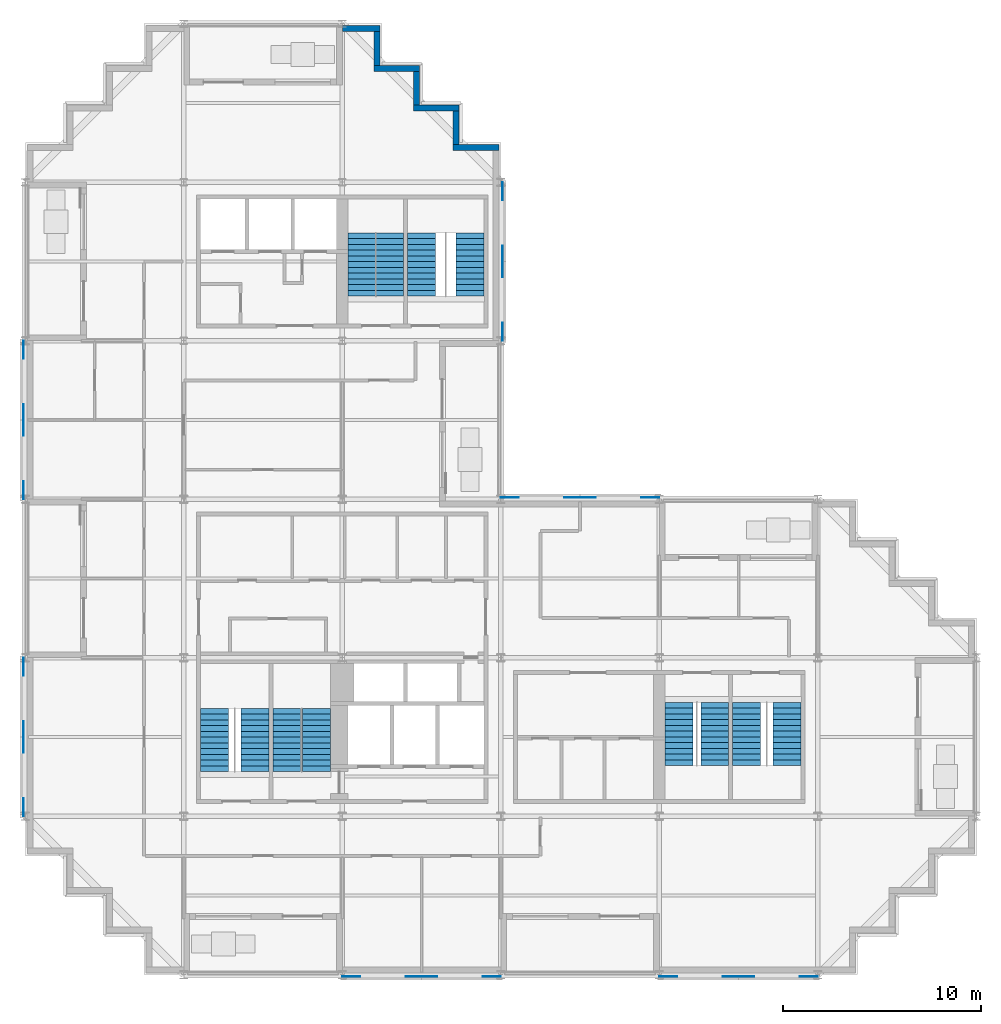
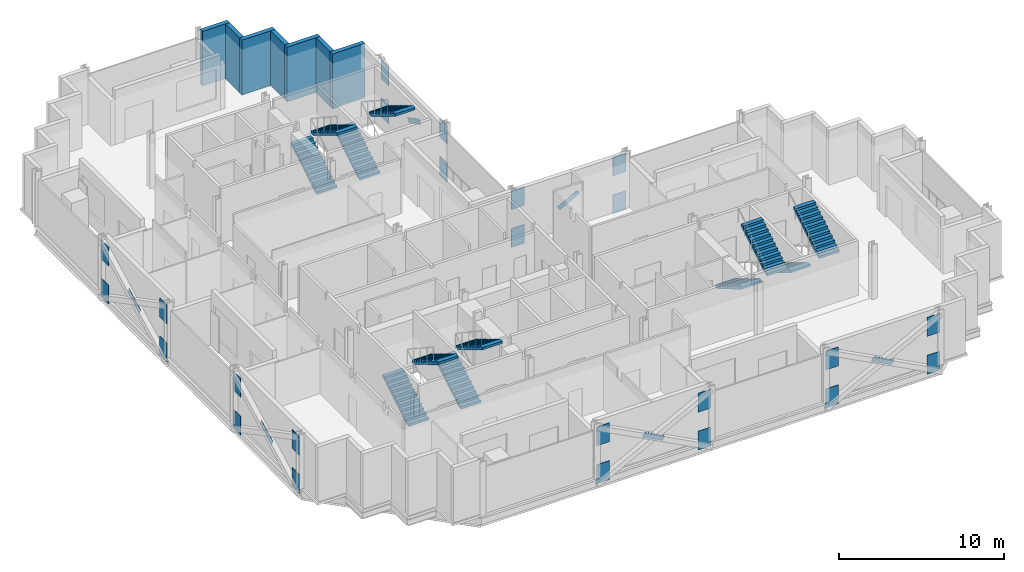
# One storey, part 9 of 12: 30 discrete accessories, 12 stair flights, 7 walls, 6 elements without a shape of their own.
"""IFC4 building model written with IfcOpenShell, lengths in metres."""

from ifc_helpers import new_model, si_unit, direction, frame, frame_2d, origin, origin_2d, place, context, subcontext, project, spatial, polyline, rectangle, outline, extrude, material, layer, layer_set, material_profile, profile_set, type_object, element, aggregate, save


model = new_model("IFC4")

# Units and contexts
model_context = context("Model", 3, precision=1e-05, world=origin(), true_north=direction((0.0, 1.0)))
body_context = subcontext(model_context, "Body", "Model", "MODEL_VIEW")
ifc_project = project(units=[si_unit("LENGTHUNIT", "METRE"), si_unit("AREAUNIT", "SQUARE_METRE"), si_unit("VOLUMEUNIT", "CUBIC_METRE"), si_unit("PLANEANGLEUNIT", "RADIAN"), si_unit("MASSUNIT", "GRAM", prefix="KILO")], contexts=[model_context])

# Site, building, storey
site_placement = place(None, origin())
site = spatial("IfcSite", under=ifc_project, at=site_placement, CompositionType="ELEMENT")
building_placement = place(site_placement, origin())
building = spatial("IfcBuilding", under=site, at=building_placement, Name="Immortelle Media Tower", CompositionType="ELEMENT")
storey_placement = place(building_placement, frame((0.0, 0.0, 153.60009765625)))
storey = spatial("IfcBuildingStorey", under=building, at=storey_placement, Name="L31", CompositionType="ELEMENT", Elevation=153.60009765625)

# Walls
ifc_material_1 = material(Name="Pale aluminium cladding panel", Category="aluminium")
ifc_layer_1 = layer(ifc_material_1, 0.030029296875)
ifc_material_2 = material(Name="Steel ASTM A653 SS Gr 50 stud frame with mineral wool", Category="steel")
ifc_layer_2 = layer(ifc_material_2, 0.257568359375)
ifc_material_3 = material(Name="Moisture-resistant gypsum board", Category="gypsum")
ifc_layer_3 = layer(ifc_material_3, 0.012451171875)
ifc_layer_set = layer_set([ifc_layer_1, ifc_layer_2, ifc_layer_3], Name="Steel ASTM A653 SS Gr 50 stud frame with mineral wool")
wall_type = type_object("IfcWallType", Name="Facade wall 300", PredefinedType="SOLIDWALL", material=ifc_layer_set)
wall_1_placement = place(storey_placement, frame((23.89990234375, 41.75, 0.0), z_axis=(0.0, 0.0, 1.0), x_axis=(-1.0, 0.0, 0.0)))
element("IfcWall", 1, at=wall_1_placement, inside=storey, type_object=wall_type, Name="Facade wall L31 N22", PredefinedType="SOLIDWALL", context=body_context, shape_type="SweptSolid", body=[
    extrude(rectangle(XDim=2.2998046875, YDim=0.300048828125, at=frame_2d((1.14990234375, 0.0))), origin(), (0.0, 0.0, 1.0), 4.0498046875),
])
wall_2_placement = place(storey_placement, frame((21.75, 41.89990234375, 0.0), z_axis=(0.0, 0.0, 1.0), x_axis=(0.0, 1.0, 0.0)))
element("IfcWall", 2, at=wall_2_placement, inside=storey, type_object=wall_type, Name="Facade wall L31 E23", PredefinedType="SOLIDWALL", context=body_context, shape_type="SweptSolid", body=[
    extrude(rectangle(XDim=1.7001953125, YDim=0.300048828125, at=frame_2d((0.85009765625, 0.0))), origin(), (0.0, 0.0, 1.0), 4.0498046875),
])
wall_3_placement = place(storey_placement, frame((21.89990234375, 43.75, 0.0), z_axis=(0.0, 0.0, 1.0), x_axis=(-1.0, 0.0, 0.0)))
element("IfcWall", 3, at=wall_3_placement, inside=storey, type_object=wall_type, Name="Facade wall L31 N24", PredefinedType="SOLIDWALL", context=body_context, shape_type="SweptSolid", body=[
    extrude(rectangle(XDim=2.2998046875, YDim=0.300048828125, at=frame_2d((1.14990234375, 0.0))), origin(), (0.0, 0.0, 1.0), 4.0498046875),
])
wall_4_placement = place(storey_placement, frame((19.75, 43.89990234375, 0.0), z_axis=(0.0, 0.0, 1.0), x_axis=(0.0, 1.0, 0.0)))
element("IfcWall", 4, at=wall_4_placement, inside=storey, type_object=wall_type, Name="Facade wall L31 E25", PredefinedType="SOLIDWALL", context=body_context, shape_type="SweptSolid", body=[
    extrude(rectangle(XDim=1.7001953125, YDim=0.300048828125, at=frame_2d((0.85009765625, 0.0))), origin(), (0.0, 0.0, 1.0), 4.0498046875),
])
wall_5_placement = place(storey_placement, frame((19.89990234375, 45.75, 0.0), z_axis=(0.0, 0.0, 1.0), x_axis=(-1.0, 0.0, 0.0)))
element("IfcWall", 5, at=wall_5_placement, inside=storey, type_object=wall_type, Name="Facade wall L31 N26", PredefinedType="SOLIDWALL", context=body_context, shape_type="SweptSolid", body=[
    extrude(rectangle(XDim=2.2998046875, YDim=0.300048828125, at=frame_2d((1.14990234375, 0.0))), origin(), (0.0, 0.0, 1.0), 4.0498046875),
])
wall_6_placement = place(storey_placement, frame((17.75, 45.89990234375, 0.0), z_axis=(0.0, 0.0, 1.0), x_axis=(0.0, 1.0, 0.0)))
element("IfcWall", 6, at=wall_6_placement, inside=storey, type_object=wall_type, Name="Facade wall L31 E27", PredefinedType="SOLIDWALL", context=body_context, shape_type="SweptSolid", body=[
    extrude(rectangle(XDim=1.7001953125, YDim=0.300048828125, at=frame_2d((0.85009765625, 0.0))), origin(), (0.0, 0.0, 1.0), 4.0498046875),
])
wall_7_placement = place(storey_placement, frame((17.89990234375, 47.75, 0.0), z_axis=(0.0, 0.0, 1.0), x_axis=(-1.0, 0.0, 0.0)))
element("IfcWall", 7, at=wall_7_placement, inside=storey, type_object=wall_type, Name="Facade wall L31 N28", PredefinedType="SOLIDWALL", context=body_context, shape_type="SweptSolid", body=[
    extrude(rectangle(XDim=1.89990234375, YDim=0.300048828125, at=frame_2d((0.949951171875, 0.0))), origin(), (0.0, 0.0, 1.0), 4.0498046875),
])

# Stair, stair flights
ifc_material_4 = material(Name="Steel ASTM A992 Gr 50", Category="steel")
stair_type = type_object("IfcStairType", Name="Stair with flights", PredefinedType="DOUBLE_RETURN_STAIR", material=ifc_material_4)
stair_1_placement = place(storey_placement, origin())
stair_1 = element("IfcStair", 8, at=stair_1_placement, inside=storey, type_object=stair_type, Name="Exit stair SW1", PredefinedType="DOUBLE_RETURN_STAIR")
stair_flight_type = type_object("IfcStairFlightType", Name="Stair flight 1400", PredefinedType="STRAIGHT", material=ifc_material_4)
stair_flight_1_placement = place(storey_placement, frame((9.550048828125, 10.25, 0.0), z_axis=(0.0, 0.0, 1.0), x_axis=(0.0, 1.0, 0.0)))
stair_flight_1 = element("IfcStairFlight", 9, at=stair_flight_1_placement, type_object=stair_flight_type, Name="ST SW1 flight 1", NumberOfRisers=12, NumberOfTreads=11, PredefinedType="STRAIGHT", RiserHeight=0.175, TreadLength=0.29, context=body_context, shape_type="SweptSolid", body=[
    extrude(outline(polyline([(0.0, 0.0), (0.0, 0.175048828125), (0.2900390625, 0.175048828125), (0.2900390625, 0.35009765625), (0.580078125, 0.35009765625), (0.580078125, 0.52490234375), (0.8701171875, 0.52490234375), (0.8701171875, 0.699951171875), (1.159912109375, 0.699951171875), (1.159912109375, 0.875), (1.449951171875, 0.875), (1.449951171875, 1.050048828125), (1.739990234375, 1.050048828125), (1.739990234375, 1.22509765625), (2.030029296875, 1.22509765625), (2.030029296875, 1.39990234375), (2.320068359375, 1.39990234375), (2.320068359375, 1.574951171875), (2.610107421875, 1.574951171875), (2.610107421875, 1.75), (2.89990234375, 1.75), (2.89990234375, 1.925048828125), (3.18994140625, 1.925048828125), (3.18994140625, 2.10009765625), (3.18994140625, 1.75), (0.2900390625, 0.0), (0.0, 0.0)])), frame((0.0, 0.699951171875, 0.0), z_axis=(0.0, -1.0, 0.0), x_axis=(1.0, 0.0, 0.0)), (0.0, 0.0, 1.0), 1.39990234375),
])
stair_flight_2_placement = place(storey_placement, frame((11.60009765625, 13.43994140625, 2.099853515625), z_axis=(0.0, 0.0, 1.0), x_axis=(0.0, -1.0, 0.0)))
stair_flight_2 = element("IfcStairFlight", 10, at=stair_flight_2_placement, type_object=stair_flight_type, Name="ST SW1 flight 2", NumberOfRisers=12, NumberOfTreads=11, PredefinedType="STRAIGHT", RiserHeight=0.175, TreadLength=0.29, context=body_context, shape_type="SweptSolid", body=[
    extrude(outline(polyline([(0.0, 0.0), (0.0, 0.175048828125), (0.2900390625, 0.175048828125), (0.2900390625, 0.35009765625), (0.580078125, 0.35009765625), (0.580078125, 0.52490234375), (0.8701171875, 0.52490234375), (0.8701171875, 0.699951171875), (1.159912109375, 0.699951171875), (1.159912109375, 0.875), (1.449951171875, 0.875), (1.449951171875, 1.050048828125), (1.739990234375, 1.050048828125), (1.739990234375, 1.22509765625), (2.030029296875, 1.22509765625), (2.030029296875, 1.39990234375), (2.320068359375, 1.39990234375), (2.320068359375, 1.574951171875), (2.610107421875, 1.574951171875), (2.610107421875, 1.75), (2.89990234375, 1.75), (2.89990234375, 1.925048828125), (3.18994140625, 1.925048828125), (3.18994140625, 2.10009765625), (3.18994140625, 1.75), (0.2900390625, 0.0), (0.0, 0.0)])), frame((0.0, 0.699951171875, 0.0), z_axis=(0.0, -1.0, 0.0), x_axis=(1.0, 0.0, 0.0)), (0.0, 0.0, 1.0), 1.39990234375),
])
aggregate(stair_1, [stair_flight_1, stair_flight_2])

stair_2_placement = place(storey_placement, origin())
stair_2 = element("IfcStair", 11, at=stair_2_placement, inside=storey, type_object=stair_type, Name="Exit stair SW2", PredefinedType="DOUBLE_RETURN_STAIR")
stair_flight_3_placement = place(storey_placement, frame((13.199951171875, 10.25, 0.0), z_axis=(0.0, 0.0, 1.0), x_axis=(0.0, 1.0, 0.0)))
stair_flight_3 = element("IfcStairFlight", 12, at=stair_flight_3_placement, type_object=stair_flight_type, Name="ST SW2 flight 1", NumberOfRisers=12, NumberOfTreads=11, PredefinedType="STRAIGHT", RiserHeight=0.175, TreadLength=0.29, context=body_context, shape_type="SweptSolid", body=[
    extrude(outline(polyline([(0.0, 0.0), (0.0, 0.175048828125), (0.2900390625, 0.175048828125), (0.2900390625, 0.35009765625), (0.580078125, 0.35009765625), (0.580078125, 0.52490234375), (0.8701171875, 0.52490234375), (0.8701171875, 0.699951171875), (1.159912109375, 0.699951171875), (1.159912109375, 0.875), (1.449951171875, 0.875), (1.449951171875, 1.050048828125), (1.739990234375, 1.050048828125), (1.739990234375, 1.22509765625), (2.030029296875, 1.22509765625), (2.030029296875, 1.39990234375), (2.320068359375, 1.39990234375), (2.320068359375, 1.574951171875), (2.610107421875, 1.574951171875), (2.610107421875, 1.75), (2.89990234375, 1.75), (2.89990234375, 1.925048828125), (3.18994140625, 1.925048828125), (3.18994140625, 2.10009765625), (3.18994140625, 1.75), (0.2900390625, 0.0), (0.0, 0.0)])), frame((0.0, 0.699951171875, 0.0), z_axis=(0.0, -1.0, 0.0), x_axis=(1.0, 0.0, 0.0)), (0.0, 0.0, 1.0), 1.39990234375),
])
stair_flight_4_placement = place(storey_placement, frame((14.699951171875, 13.43994140625, 2.099853515625), z_axis=(0.0, 0.0, 1.0), x_axis=(0.0, -1.0, 0.0)))
stair_flight_4 = element("IfcStairFlight", 13, at=stair_flight_4_placement, type_object=stair_flight_type, Name="ST SW2 flight 2", NumberOfRisers=12, NumberOfTreads=11, PredefinedType="STRAIGHT", RiserHeight=0.175, TreadLength=0.29, context=body_context, shape_type="SweptSolid", body=[
    extrude(outline(polyline([(0.0, 0.0), (0.0, 0.175048828125), (0.2900390625, 0.175048828125), (0.2900390625, 0.35009765625), (0.580078125, 0.35009765625), (0.580078125, 0.52490234375), (0.8701171875, 0.52490234375), (0.8701171875, 0.699951171875), (1.159912109375, 0.699951171875), (1.159912109375, 0.875), (1.449951171875, 0.875), (1.449951171875, 1.050048828125), (1.739990234375, 1.050048828125), (1.739990234375, 1.22509765625), (2.030029296875, 1.22509765625), (2.030029296875, 1.39990234375), (2.320068359375, 1.39990234375), (2.320068359375, 1.574951171875), (2.610107421875, 1.574951171875), (2.610107421875, 1.75), (2.89990234375, 1.75), (2.89990234375, 1.925048828125), (3.18994140625, 1.925048828125), (3.18994140625, 2.10009765625), (3.18994140625, 1.75), (0.2900390625, 0.0), (0.0, 0.0)])), frame((0.0, 0.699951171875, 0.0), z_axis=(0.0, -1.0, 0.0), x_axis=(1.0, 0.0, 0.0)), (0.0, 0.0, 1.0), 1.39990234375),
])
aggregate(stair_2, [stair_flight_3, stair_flight_4])

stair_3_placement = place(storey_placement, origin())
stair_3 = element("IfcStair", 14, at=stair_3_placement, inside=storey, type_object=stair_type, Name="Exit stair SE1", PredefinedType="DOUBLE_RETURN_STAIR")
stair_flight_5_placement = place(storey_placement, frame((33.0, 13.75, 0.0), z_axis=(0.0, 0.0, 1.0), x_axis=(0.0, -1.0, 0.0)))
stair_flight_5 = element("IfcStairFlight", 15, at=stair_flight_5_placement, type_object=stair_flight_type, Name="ST SE1 flight 1", NumberOfRisers=12, NumberOfTreads=11, PredefinedType="STRAIGHT", RiserHeight=0.175, TreadLength=0.29, context=body_context, shape_type="SweptSolid", body=[
    extrude(outline(polyline([(0.0, 0.0), (0.0, 0.175048828125), (0.2900390625, 0.175048828125), (0.2900390625, 0.35009765625), (0.580078125, 0.35009765625), (0.580078125, 0.52490234375), (0.8701171875, 0.52490234375), (0.8701171875, 0.699951171875), (1.159912109375, 0.699951171875), (1.159912109375, 0.875), (1.449951171875, 0.875), (1.449951171875, 1.050048828125), (1.739990234375, 1.050048828125), (1.739990234375, 1.22509765625), (2.030029296875, 1.22509765625), (2.030029296875, 1.39990234375), (2.320068359375, 1.39990234375), (2.320068359375, 1.574951171875), (2.610107421875, 1.574951171875), (2.610107421875, 1.75), (2.89990234375, 1.75), (2.89990234375, 1.925048828125), (3.18994140625, 1.925048828125), (3.18994140625, 2.10009765625), (3.18994140625, 1.75), (0.2900390625, 0.0), (0.0, 0.0)])), frame((0.0, 0.699951171875, 0.0), z_axis=(0.0, -1.0, 0.0), x_axis=(1.0, 0.0, 0.0)), (0.0, 0.0, 1.0), 1.39990234375),
])
stair_flight_6_placement = place(storey_placement, frame((34.800048828125, 10.56005859375, 2.099853515625), z_axis=(0.0, 0.0, 1.0), x_axis=(0.0, 1.0, 0.0)))
stair_flight_6 = element("IfcStairFlight", 16, at=stair_flight_6_placement, type_object=stair_flight_type, Name="ST SE1 flight 2", NumberOfRisers=12, NumberOfTreads=11, PredefinedType="STRAIGHT", RiserHeight=0.175, TreadLength=0.29, context=body_context, shape_type="SweptSolid", body=[
    extrude(outline(polyline([(0.0, 0.0), (0.0, 0.175048828125), (0.2900390625, 0.175048828125), (0.2900390625, 0.35009765625), (0.580078125, 0.35009765625), (0.580078125, 0.52490234375), (0.8701171875, 0.52490234375), (0.8701171875, 0.699951171875), (1.159912109375, 0.699951171875), (1.159912109375, 0.875), (1.449951171875, 0.875), (1.449951171875, 1.050048828125), (1.739990234375, 1.050048828125), (1.739990234375, 1.22509765625), (2.030029296875, 1.22509765625), (2.030029296875, 1.39990234375), (2.320068359375, 1.39990234375), (2.320068359375, 1.574951171875), (2.610107421875, 1.574951171875), (2.610107421875, 1.75), (2.89990234375, 1.75), (2.89990234375, 1.925048828125), (3.18994140625, 1.925048828125), (3.18994140625, 2.10009765625), (3.18994140625, 1.75), (0.2900390625, 0.0), (0.0, 0.0)])), frame((0.0, 0.699951171875, 0.0), z_axis=(0.0, -1.0, 0.0), x_axis=(1.0, 0.0, 0.0)), (0.0, 0.0, 1.0), 1.39990234375),
])
aggregate(stair_3, [stair_flight_5, stair_flight_6])

stair_4_placement = place(storey_placement, origin())
stair_4 = element("IfcStair", 17, at=stair_4_placement, inside=storey, type_object=stair_type, Name="Exit stair SE2", PredefinedType="DOUBLE_RETURN_STAIR")
stair_flight_7_placement = place(storey_placement, frame((36.39990234375, 13.75, 0.0), z_axis=(0.0, 0.0, 1.0), x_axis=(0.0, -1.0, 0.0)))
stair_flight_7 = element("IfcStairFlight", 18, at=stair_flight_7_placement, type_object=stair_flight_type, Name="ST SE2 flight 1", NumberOfRisers=12, NumberOfTreads=11, PredefinedType="STRAIGHT", RiserHeight=0.175, TreadLength=0.29, context=body_context, shape_type="SweptSolid", body=[
    extrude(outline(polyline([(0.0, 0.0), (0.0, 0.175048828125), (0.2900390625, 0.175048828125), (0.2900390625, 0.35009765625), (0.580078125, 0.35009765625), (0.580078125, 0.52490234375), (0.8701171875, 0.52490234375), (0.8701171875, 0.699951171875), (1.159912109375, 0.699951171875), (1.159912109375, 0.875), (1.449951171875, 0.875), (1.449951171875, 1.050048828125), (1.739990234375, 1.050048828125), (1.739990234375, 1.22509765625), (2.030029296875, 1.22509765625), (2.030029296875, 1.39990234375), (2.320068359375, 1.39990234375), (2.320068359375, 1.574951171875), (2.610107421875, 1.574951171875), (2.610107421875, 1.75), (2.89990234375, 1.75), (2.89990234375, 1.925048828125), (3.18994140625, 1.925048828125), (3.18994140625, 2.10009765625), (3.18994140625, 1.75), (0.2900390625, 0.0), (0.0, 0.0)])), frame((0.0, 0.699951171875, 0.0), z_axis=(0.0, -1.0, 0.0), x_axis=(1.0, 0.0, 0.0)), (0.0, 0.0, 1.0), 1.39990234375),
])
stair_flight_8_placement = place(storey_placement, frame((38.449951171875, 10.56005859375, 2.099853515625), z_axis=(0.0, 0.0, 1.0), x_axis=(0.0, 1.0, 0.0)))
stair_flight_8 = element("IfcStairFlight", 19, at=stair_flight_8_placement, type_object=stair_flight_type, Name="ST SE2 flight 2", NumberOfRisers=12, NumberOfTreads=11, PredefinedType="STRAIGHT", RiserHeight=0.175, TreadLength=0.29, context=body_context, shape_type="SweptSolid", body=[
    extrude(outline(polyline([(0.0, 0.0), (0.0, 0.175048828125), (0.2900390625, 0.175048828125), (0.2900390625, 0.35009765625), (0.580078125, 0.35009765625), (0.580078125, 0.52490234375), (0.8701171875, 0.52490234375), (0.8701171875, 0.699951171875), (1.159912109375, 0.699951171875), (1.159912109375, 0.875), (1.449951171875, 0.875), (1.449951171875, 1.050048828125), (1.739990234375, 1.050048828125), (1.739990234375, 1.22509765625), (2.030029296875, 1.22509765625), (2.030029296875, 1.39990234375), (2.320068359375, 1.39990234375), (2.320068359375, 1.574951171875), (2.610107421875, 1.574951171875), (2.610107421875, 1.75), (2.89990234375, 1.75), (2.89990234375, 1.925048828125), (3.18994140625, 1.925048828125), (3.18994140625, 2.10009765625), (3.18994140625, 1.75), (0.2900390625, 0.0), (0.0, 0.0)])), frame((0.0, 0.699951171875, 0.0), z_axis=(0.0, -1.0, 0.0), x_axis=(1.0, 0.0, 0.0)), (0.0, 0.0, 1.0), 1.39990234375),
])
aggregate(stair_4, [stair_flight_7, stair_flight_8])

stair_5_placement = place(storey_placement, origin())
stair_5 = element("IfcStair", 20, at=stair_5_placement, inside=storey, type_object=stair_type, Name="Exit stair NW1", PredefinedType="DOUBLE_RETURN_STAIR")
stair_flight_9_placement = place(storey_placement, frame((17.0, 34.25, 0.0), z_axis=(0.0, 0.0, 1.0), x_axis=(0.0, 1.0, 0.0)))
stair_flight_9 = element("IfcStairFlight", 21, at=stair_flight_9_placement, type_object=stair_flight_type, Name="ST NW1 flight 1", NumberOfRisers=12, NumberOfTreads=11, PredefinedType="STRAIGHT", RiserHeight=0.175, TreadLength=0.29, context=body_context, shape_type="SweptSolid", body=[
    extrude(outline(polyline([(0.0, 0.0), (0.0, 0.175048828125), (0.2900390625, 0.175048828125), (0.2900390625, 0.35009765625), (0.580078125, 0.35009765625), (0.580078125, 0.52490234375), (0.8701171875, 0.52490234375), (0.8701171875, 0.699951171875), (1.159912109375, 0.699951171875), (1.159912109375, 0.875), (1.449951171875, 0.875), (1.449951171875, 1.050048828125), (1.739990234375, 1.050048828125), (1.739990234375, 1.22509765625), (2.030029296875, 1.22509765625), (2.030029296875, 1.39990234375), (2.320068359375, 1.39990234375), (2.320068359375, 1.574951171875), (2.610107421875, 1.574951171875), (2.610107421875, 1.75), (2.89990234375, 1.75), (2.89990234375, 1.925048828125), (3.18994140625, 1.925048828125), (3.18994140625, 2.10009765625), (3.18994140625, 1.75), (0.2900390625, 0.0), (0.0, 0.0)])), frame((0.0, 0.699951171875, 0.0), z_axis=(0.0, -1.0, 0.0), x_axis=(1.0, 0.0, 0.0)), (0.0, 0.0, 1.0), 1.39990234375),
])
stair_flight_10_placement = place(storey_placement, frame((18.39990234375, 37.43994140625, 2.099853515625), z_axis=(0.0, 0.0, 1.0), x_axis=(0.0, -1.0, 0.0)))
stair_flight_10 = element("IfcStairFlight", 22, at=stair_flight_10_placement, type_object=stair_flight_type, Name="ST NW1 flight 2", NumberOfRisers=12, NumberOfTreads=11, PredefinedType="STRAIGHT", RiserHeight=0.175, TreadLength=0.29, context=body_context, shape_type="SweptSolid", body=[
    extrude(outline(polyline([(0.0, 0.0), (0.0, 0.175048828125), (0.2900390625, 0.175048828125), (0.2900390625, 0.35009765625), (0.580078125, 0.35009765625), (0.580078125, 0.52490234375), (0.8701171875, 0.52490234375), (0.8701171875, 0.699951171875), (1.159912109375, 0.699951171875), (1.159912109375, 0.875), (1.449951171875, 0.875), (1.449951171875, 1.050048828125), (1.739990234375, 1.050048828125), (1.739990234375, 1.22509765625), (2.030029296875, 1.22509765625), (2.030029296875, 1.39990234375), (2.320068359375, 1.39990234375), (2.320068359375, 1.574951171875), (2.610107421875, 1.574951171875), (2.610107421875, 1.75), (2.89990234375, 1.75), (2.89990234375, 1.925048828125), (3.18994140625, 1.925048828125), (3.18994140625, 2.10009765625), (3.18994140625, 1.75), (0.2900390625, 0.0), (0.0, 0.0)])), frame((0.0, 0.699951171875, 0.0), z_axis=(0.0, -1.0, 0.0), x_axis=(1.0, 0.0, 0.0)), (0.0, 0.0, 1.0), 1.39990234375),
])
aggregate(stair_5, [stair_flight_9, stair_flight_10])

stair_6_placement = place(storey_placement, origin())
stair_6 = element("IfcStair", 23, at=stair_6_placement, inside=storey, type_object=stair_type, Name="Exit stair NW2", PredefinedType="DOUBLE_RETURN_STAIR")
stair_flight_11_placement = place(storey_placement, frame((20.0, 34.25, 0.0), z_axis=(0.0, 0.0, 1.0), x_axis=(0.0, 1.0, 0.0)))
stair_flight_11 = element("IfcStairFlight", 24, at=stair_flight_11_placement, type_object=stair_flight_type, Name="ST NW2 flight 1", NumberOfRisers=12, NumberOfTreads=11, PredefinedType="STRAIGHT", RiserHeight=0.175, TreadLength=0.29, context=body_context, shape_type="SweptSolid", body=[
    extrude(outline(polyline([(0.0, 0.0), (0.0, 0.175048828125), (0.2900390625, 0.175048828125), (0.2900390625, 0.35009765625), (0.580078125, 0.35009765625), (0.580078125, 0.52490234375), (0.8701171875, 0.52490234375), (0.8701171875, 0.699951171875), (1.159912109375, 0.699951171875), (1.159912109375, 0.875), (1.449951171875, 0.875), (1.449951171875, 1.050048828125), (1.739990234375, 1.050048828125), (1.739990234375, 1.22509765625), (2.030029296875, 1.22509765625), (2.030029296875, 1.39990234375), (2.320068359375, 1.39990234375), (2.320068359375, 1.574951171875), (2.610107421875, 1.574951171875), (2.610107421875, 1.75), (2.89990234375, 1.75), (2.89990234375, 1.925048828125), (3.18994140625, 1.925048828125), (3.18994140625, 2.10009765625), (3.18994140625, 1.75), (0.2900390625, 0.0), (0.0, 0.0)])), frame((0.0, 0.699951171875, 0.0), z_axis=(0.0, -1.0, 0.0), x_axis=(1.0, 0.0, 0.0)), (0.0, 0.0, 1.0), 1.39990234375),
])
stair_flight_12_placement = place(storey_placement, frame((22.449951171875, 37.43994140625, 2.099853515625), z_axis=(0.0, 0.0, 1.0), x_axis=(0.0, -1.0, 0.0)))
stair_flight_12 = element("IfcStairFlight", 25, at=stair_flight_12_placement, type_object=stair_flight_type, Name="ST NW2 flight 2", NumberOfRisers=12, NumberOfTreads=11, PredefinedType="STRAIGHT", RiserHeight=0.175, TreadLength=0.29, context=body_context, shape_type="SweptSolid", body=[
    extrude(outline(polyline([(0.0, 0.0), (0.0, 0.175048828125), (0.2900390625, 0.175048828125), (0.2900390625, 0.35009765625), (0.580078125, 0.35009765625), (0.580078125, 0.52490234375), (0.8701171875, 0.52490234375), (0.8701171875, 0.699951171875), (1.159912109375, 0.699951171875), (1.159912109375, 0.875), (1.449951171875, 0.875), (1.449951171875, 1.050048828125), (1.739990234375, 1.050048828125), (1.739990234375, 1.22509765625), (2.030029296875, 1.22509765625), (2.030029296875, 1.39990234375), (2.320068359375, 1.39990234375), (2.320068359375, 1.574951171875), (2.610107421875, 1.574951171875), (2.610107421875, 1.75), (2.89990234375, 1.75), (2.89990234375, 1.925048828125), (3.18994140625, 1.925048828125), (3.18994140625, 2.10009765625), (3.18994140625, 1.75), (0.2900390625, 0.0), (0.0, 0.0)])), frame((0.0, 0.699951171875, 0.0), z_axis=(0.0, -1.0, 0.0), x_axis=(1.0, 0.0, 0.0)), (0.0, 0.0, 1.0), 1.39990234375),
])
aggregate(stair_6, [stair_flight_11, stair_flight_12])

# Discrete accessories
ifc_material_5 = material(Name="Steel ASTM A572 Gr 50", Category="steel")
ifc_material_profile_1 = material_profile(ifc_material_5, rectangle(XDim=0.02392578125, YDim=0.35595703125, at=origin_2d()), Name="PL 24 x 356")
ifc_profile_set_1 = profile_set([ifc_material_profile_1], Name="Steel ASTM A572 Gr 50")
discrete_accessory_type_1 = type_object("IfcDiscreteAccessoryType", Name="Crossing plate XP-BR5 1600 x 356 x 24", PredefinedType="USERDEFINED", material=ifc_profile_set_1)
for number, where, z_axis, x_axis, name in (
    (26, (28.708251953125, 24.087890625, 2.015869140625), (-0.885338234428, 0.0, -0.464947535385), (0.0, -1.0, 0.0), "Crossing plate XP-BR5 of Brace D/4-5 A and Brace D/4-5 B"),
    (27, (24.087890625, 35.291748046875, 2.015869140625), (0.0, 0.885338234428, -0.464947535385), (-1.0, 0.0, 0.0), "Crossing plate XP-BR5 of Brace 4/E-F A and Brace 4/E-F B"),
    (28, (-0.087890625, 28.708251953125, 2.015869140625), (0.0, -0.885338234428, -0.464947535385), (1.0, 0.0, 0.0), "Crossing plate XP-BR5 of Brace 1/D-E A and Brace 1/D-E B"),
    (29, (-0.087890625, 12.708251953125, 2.015869140625), (0.0, -0.885338234428, -0.464947535385), (1.0, 0.0, 0.0), "Crossing plate XP-BR5 of Brace 1/B-C A and Brace 1/B-C B"),
    (30, (19.291748046875, -0.087890625, 2.015869140625), (0.885338234428, 0.0, -0.464947535385), (0.0, 1.0, 0.0), "Crossing plate XP-BR5 of Brace A/3-4 A and Brace A/3-4 B"),
    (31, (35.291748046875, -0.087890625, 2.015869140625), (0.885338234428, 0.0, -0.464947535385), (0.0, 1.0, 0.0), "Crossing plate XP-BR5 of Brace A/5-6 A and Brace A/5-6 B"),
):
    element("IfcDiscreteAccessory", number, at=place(storey_placement, frame(where, z_axis=z_axis, x_axis=x_axis)), inside=storey, type_object=discrete_accessory_type_1, Name=name, ObjectType="CROSSING PLATE", PredefinedType="USERDEFINED", context=body_context, shape_type="SweptSolid", body=[
        extrude(rectangle(XDim=0.02392578125, YDim=0.35595703125, at=origin_2d()), origin(), (0.0, 0.0, 1.0), 1.599853515625),
    ])
ifc_material_profile_2 = material_profile(ifc_material_5, rectangle(XDim=0.031982421875, YDim=1.39990234375, at=origin_2d()), Name="PL 32 x 1400")
ifc_profile_set_2 = profile_set([ifc_material_profile_2], Name="Steel ASTM A572 Gr 50")
discrete_accessory_type_2 = type_object("IfcDiscreteAccessoryType", Name="Gusset plate GP1 900 x 1400 x 32", PredefinedType="USERDEFINED", material=ifc_profile_set_2)
for number, where, z_axis, x_axis, name in (
    (32, (16.0, -0.087890625, 0.243896484375), (1.0, 0.0, 0.0), (0.0, 1.0, 0.0), "Gusset plate GP1, lower end of Brace A/3-4 A"),
    (33, (24.0, -0.087890625, 3.0439453125), (-1.0, 0.0, 0.0), (0.0, -1.0, 0.0), "Gusset plate GP1, upper end of Brace A/3-4 A"),
    (34, (24.0, -0.087890625, 0.243896484375), (-1.0, 0.0, 0.0), (0.0, -1.0, 0.0), "Gusset plate GP1, lower end of Brace A/3-4 B"),
    (35, (16.0, -0.087890625, 3.0439453125), (1.0, 0.0, 0.0), (0.0, 1.0, 0.0), "Gusset plate GP1, upper end of Brace A/3-4 B"),
    (36, (32.0, -0.087890625, 0.243896484375), (1.0, 0.0, 0.0), (0.0, 1.0, 0.0), "Gusset plate GP1, lower end of Brace A/5-6 A"),
    (37, (40.0, -0.087890625, 3.0439453125), (-1.0, 0.0, 0.0), (0.0, -1.0, 0.0), "Gusset plate GP1, upper end of Brace A/5-6 A"),
    (38, (40.0, -0.087890625, 0.243896484375), (-1.0, 0.0, 0.0), (0.0, -1.0, 0.0), "Gusset plate GP1, lower end of Brace A/5-6 B"),
    (39, (32.0, -0.087890625, 3.0439453125), (1.0, 0.0, 0.0), (0.0, 1.0, 0.0), "Gusset plate GP1, upper end of Brace A/5-6 B"),
    (40, (32.0, 24.087890625, 0.243896484375), (-1.0, 0.0, 0.0), (0.0, -1.0, 0.0), "Gusset plate GP1, lower end of Brace D/4-5 A"),
    (41, (24.0, 24.087890625, 3.0439453125), (1.0, 0.0, 0.0), (0.0, 1.0, 0.0), "Gusset plate GP1, upper end of Brace D/4-5 A"),
    (42, (24.0, 24.087890625, 0.243896484375), (1.0, 0.0, 0.0), (0.0, 1.0, 0.0), "Gusset plate GP1, lower end of Brace D/4-5 B"),
    (43, (32.0, 24.087890625, 3.0439453125), (-1.0, 0.0, 0.0), (0.0, -1.0, 0.0), "Gusset plate GP1, upper end of Brace D/4-5 B"),
    (44, (24.087890625, 32.0, 0.243896484375), (0.0, 1.0, 0.0), (-1.0, 0.0, 0.0), "Gusset plate GP1, lower end of Brace 4/E-F A"),
    (45, (24.087890625, 40.0, 3.0439453125), (0.0, -1.0, 0.0), (1.0, 0.0, 0.0), "Gusset plate GP1, upper end of Brace 4/E-F A"),
    (46, (24.087890625, 40.0, 0.243896484375), (0.0, -1.0, 0.0), (1.0, 0.0, 0.0), "Gusset plate GP1, lower end of Brace 4/E-F B"),
    (47, (24.087890625, 32.0, 3.0439453125), (0.0, 1.0, 0.0), (-1.0, 0.0, 0.0), "Gusset plate GP1, upper end of Brace 4/E-F B"),
    (48, (-0.087890625, 32.0, 0.243896484375), (0.0, -1.0, 0.0), (1.0, 0.0, 0.0), "Gusset plate GP1, lower end of Brace 1/D-E A"),
    (49, (-0.087890625, 24.0, 3.0439453125), (0.0, 1.0, 0.0), (-1.0, 0.0, 0.0), "Gusset plate GP1, upper end of Brace 1/D-E A"),
    (50, (-0.087890625, 24.0, 0.243896484375), (0.0, 1.0, 0.0), (-1.0, 0.0, 0.0), "Gusset plate GP1, lower end of Brace 1/D-E B"),
    (51, (-0.087890625, 32.0, 3.0439453125), (0.0, -1.0, 0.0), (1.0, 0.0, 0.0), "Gusset plate GP1, upper end of Brace 1/D-E B"),
    (52, (-0.087890625, 16.0, 0.243896484375), (0.0, -1.0, 0.0), (1.0, 0.0, 0.0), "Gusset plate GP1, lower end of Brace 1/B-C A"),
    (53, (-0.087890625, 8.0, 3.0439453125), (0.0, 1.0, 0.0), (-1.0, 0.0, 0.0), "Gusset plate GP1, upper end of Brace 1/B-C A"),
    (54, (-0.087890625, 8.0, 0.243896484375), (0.0, 1.0, 0.0), (-1.0, 0.0, 0.0), "Gusset plate GP1, lower end of Brace 1/B-C B"),
    (55, (-0.087890625, 16.0, 3.0439453125), (0.0, -1.0, 0.0), (1.0, 0.0, 0.0), "Gusset plate GP1, upper end of Brace 1/B-C B"),
):
    element("IfcDiscreteAccessory", number, at=place(storey_placement, frame(where, z_axis=z_axis, x_axis=x_axis)), inside=storey, type_object=discrete_accessory_type_2, Name=name, ObjectType="GUSSET PLATE", PredefinedType="USERDEFINED", context=body_context, shape_type="SweptSolid", body=[
        extrude(rectangle(XDim=0.031982421875, YDim=1.39990234375, at=origin_2d()), origin(), (0.0, 0.0, 1.0), 0.89990234375),
    ])

save(model, "model.ifc")
